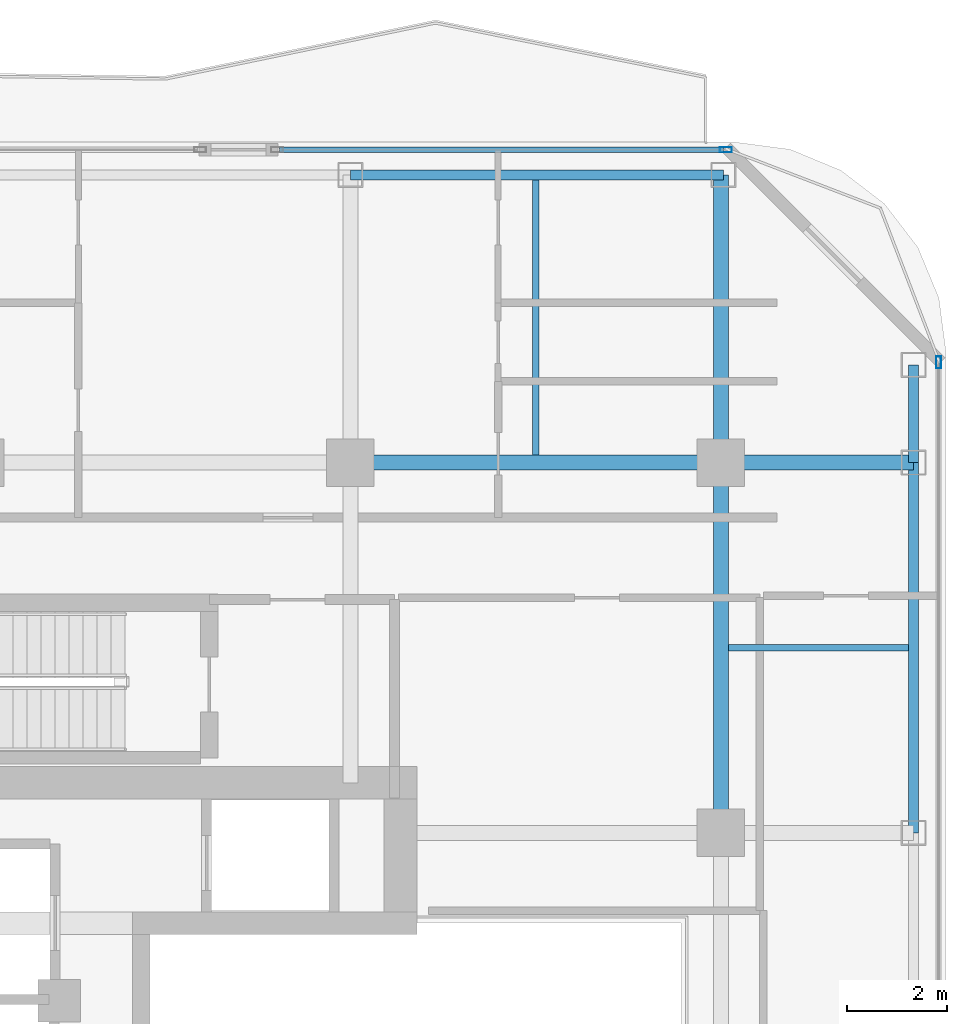
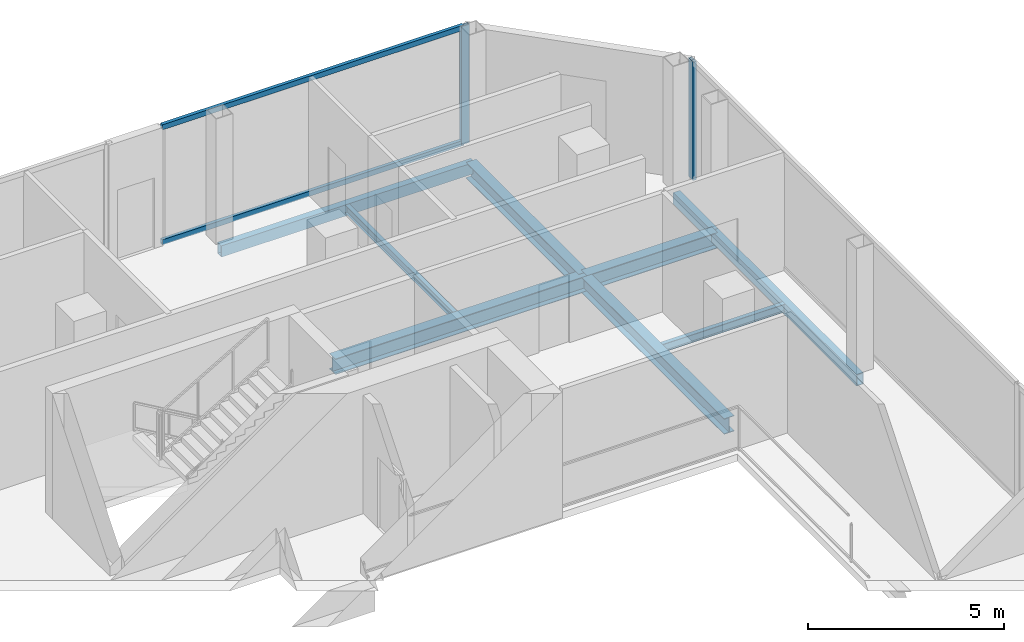
# One storey, part 13 of 22: 9 beams, 4 members, 2 elements without a shape of their own.
"""IFC4 building model written with IfcOpenShell, lengths in metres."""

from ifc_helpers import new_model, si_unit, direction, frame, origin, origin_2d, place, context, subcontext, project, spatial, hollow_rectangle, i_section, extrude, material, layer, layer_set, material_profile, profile_set, type_object, element, aggregate, save


model = new_model("IFC4")

# Units and contexts
model_context = context("Model", 3, precision=1e-05, world=origin(), true_north=direction((0.0, 1.0)))
body_context = subcontext(model_context, "Body", "Model", "MODEL_VIEW")
ifc_project = project(units=[si_unit("LENGTHUNIT", "METRE"), si_unit("AREAUNIT", "SQUARE_METRE"), si_unit("VOLUMEUNIT", "CUBIC_METRE"), si_unit("PLANEANGLEUNIT", "RADIAN"), si_unit("MASSUNIT", "GRAM", prefix="KILO")], contexts=[model_context])

# Site, building, storey
site_placement = place(None, origin())
site = spatial("IfcSite", under=ifc_project, at=site_placement, CompositionType="ELEMENT")
building_placement = place(site_placement, origin())
building = spatial("IfcBuilding", under=site, at=building_placement, Name="Khorvyn Point Tower", CompositionType="ELEMENT")
storey_placement = place(building_placement, frame((0.0, 0.0, 305.39990234375)))
storey = spatial("IfcBuildingStorey", under=building, at=storey_placement, Name="L75", CompositionType="ELEMENT", Elevation=305.39990234375)

# Curtain wall, member
ifc_material_1 = material(Name="Anodised aluminium 6063-T6 and laminated Low-E glass", Category="aluminium")
ifc_layer = layer(ifc_material_1, 0.18994140625)
ifc_layer_set = layer_set([ifc_layer], Name="Stick-Built High-Wind Curtain Wall CW-SYS-04")
curtain_wall_type = type_object("IfcCurtainWallType", Name="Stick-Built High-Wind Curtain Wall CW-SYS-04", PredefinedType="NOTDEFINED", material=ifc_layer_set)
curtain_wall_1_placement = place(storey_placement, origin())
curtain_wall_1 = element("IfcCurtainWall", 1, at=curtain_wall_1_placement, inside=storey, type_object=curtain_wall_type, Name="Curtain Wall", PredefinedType="NOTDEFINED")
ifc_material_2 = material(Name="Anodised aluminium 6063-T6", Category="aluminium")
ifc_material_profile_1 = material_profile(ifc_material_2, hollow_rectangle(XDim=0.10009765625, YDim=0.239990234375, WallThickness=0.0048828125, at=origin_2d()))
ifc_profile_set_1 = profile_set([ifc_material_profile_1], Name="Anodised aluminium 6063-T6 ALU-MUL-100x240")
member_type_1 = type_object("IfcMemberType", Name="Anodised Aluminium 6063-T6 Mullion ALU-MUL-100x240", PredefinedType="MULLION", material=ifc_profile_set_1)
member_1_placement = place(storey_placement, frame((14.89990234375, 21.050048828125, 0.0), z_axis=(0.0, 0.0, 1.0), x_axis=(0.0, 1.0, 0.0)))
member_1 = element("IfcMember", 2, at=member_1_placement, type_object=member_type_1, Name="Transom", PredefinedType="MULLION", context=body_context, shape_type="SweptSolid", body=[
    extrude(hollow_rectangle(XDim=0.10009765625, YDim=0.239990234375, WallThickness=0.0048828125, at=origin_2d()), origin(), (0.0, 0.0, 1.0), 3.68017578125),
])

curtain_wall_2_placement = place(storey_placement, origin())
curtain_wall_2 = element("IfcCurtainWall", 3, at=curtain_wall_2_placement, inside=storey, type_object=curtain_wall_type, Name="Curtain Wall", PredefinedType="NOTDEFINED")
member_2_placement = place(storey_placement, frame((19.14990234375, 16.800048828125, 0.0), z_axis=(0.0, 0.0, 1.0), x_axis=(1.0, 0.0, 0.0)))
member_2 = element("IfcMember", 4, at=member_2_placement, type_object=member_type_1, Name="Transom", PredefinedType="MULLION", context=body_context, shape_type="SweptSolid", body=[
    extrude(hollow_rectangle(XDim=0.10009765625, YDim=0.239990234375, WallThickness=0.0048828125, at=origin_2d()), origin(), (0.0, 0.0, 1.0), 3.68017578125),
])
aggregate(curtain_wall_2, [member_2])

# Member
ifc_material_profile_2 = material_profile(ifc_material_2, hollow_rectangle(XDim=0.10009765625, YDim=0.159912109375, WallThickness=0.00439453125, at=origin_2d()))
ifc_profile_set_2 = profile_set([ifc_material_profile_2], Name="Anodised aluminium 6063-T6 ALU-TRN-100x160")
member_type_2 = type_object("IfcMemberType", Name="Anodised Aluminium 6063-T6 Transom ALU-TRN-100x160", PredefinedType="USERDEFINED", material=ifc_profile_set_2)
member_3_placement = place(storey_placement, frame((5.98388671875, 21.050048828125, 0.050048828125), z_axis=(1.0, 0.0, 0.0), x_axis=(0.0, 1.0, 0.0)))
member_3 = element("IfcMember", 5, at=member_3_placement, type_object=member_type_2, Name="Transom", ObjectType="TRANSOM", PredefinedType="USERDEFINED", context=body_context, shape_type="SweptSolid", body=[
    extrude(hollow_rectangle(XDim=0.10009765625, YDim=0.159912109375, WallThickness=0.00439453125, at=origin_2d()), origin(), (0.0, 0.0, 1.0), 8.8662109375),
])

member_4_placement = place(storey_placement, frame((5.98388671875, 21.050048828125, 3.630126953125), z_axis=(1.0, 0.0, 0.0), x_axis=(0.0, 1.0, 0.0)))
member_4 = element("IfcMember", 6, at=member_4_placement, type_object=member_type_2, Name="Transom", ObjectType="TRANSOM", PredefinedType="USERDEFINED", context=body_context, shape_type="SweptSolid", body=[
    extrude(hollow_rectangle(XDim=0.10009765625, YDim=0.159912109375, WallThickness=0.00439453125, at=origin_2d()), origin(), (0.0, 0.0, 1.0), 8.8662109375),
])

aggregate(curtain_wall_1, [member_1, member_3, member_4])

# Beams
ifc_material_3 = material(Name="Steel S355", Category="steel")
ifc_material_profile_3 = material_profile(ifc_material_3, i_section(OverallWidth=0.125, OverallDepth=0.25, WebThickness=0.006103515625, FlangeThickness=0.009033203125, at=origin_2d()))
ifc_profile_set_3 = profile_set([ifc_material_profile_3], Name="Steel S355 H250x125x6x9")
beam_type_1 = type_object("IfcBeamType", Name="Steel S355 Joist H250x125x6x9", PredefinedType="JOIST", material=ifc_profile_set_3)
beam_1_placement = place(storey_placement, frame((14.949951171875, 11.10009765625, -0.344970703125), z_axis=(1.0, 0.0, 0.0), x_axis=(0.0, 1.0, 0.0)))
element("IfcBeam", 7, at=beam_1_placement, inside=storey, type_object=beam_type_1, Name="Beam", PredefinedType="JOIST", context=body_context, shape_type="SweptSolid", body=[
    extrude(i_section(OverallWidth=0.125, OverallDepth=0.25, WebThickness=0.006103515625, FlangeThickness=0.009033203125, at=origin_2d()), origin(), (0.0, 0.0, 1.0), 3.60009765625),
])
beam_2_placement = place(storey_placement, frame((11.10009765625, 14.949951171875, -0.344970703125), z_axis=(0.0, 1.0, 0.0), x_axis=(-1.0, 0.0, 0.0)))
element("IfcBeam", 8, at=beam_2_placement, inside=storey, type_object=beam_type_1, Name="Beam", PredefinedType="JOIST", context=body_context, shape_type="SweptSolid", body=[
    extrude(i_section(OverallWidth=0.125, OverallDepth=0.25, WebThickness=0.006103515625, FlangeThickness=0.009033203125, at=origin_2d()), origin(), (0.0, 0.0, 1.0), 5.5),
])
ifc_material_profile_4 = material_profile(ifc_material_3, i_section(OverallWidth=0.300048828125, OverallDepth=0.488037109375, WebThickness=0.010986328125, FlangeThickness=0.01806640625, at=origin_2d()))
ifc_profile_set_4 = profile_set([ifc_material_profile_4], Name="Steel S355 H488x300x11x18")
beam_type_2 = type_object("IfcBeamType", Name="Steel S355 Spandrel H488x300x11x18", PredefinedType="SPANDREL", material=ifc_profile_set_4)
beam_3_placement = place(storey_placement, frame((7.39990234375, 14.800048828125, -0.4638671875), z_axis=(1.0, 0.0, 0.0), x_axis=(0.0, 1.0, 0.0)))
element("IfcBeam", 9, at=beam_3_placement, inside=storey, type_object=beam_type_2, Name="Beam", PredefinedType="SPANDREL", context=body_context, shape_type="SweptSolid", body=[
    extrude(i_section(OverallWidth=0.300048828125, OverallDepth=0.488037109375, WebThickness=0.010986328125, FlangeThickness=0.01806640625, at=origin_2d()), origin(), (0.0, 0.0, 1.0), 7.400146484375),
])
beam_4_placement = place(storey_placement, frame((14.800048828125, 14.800048828125, -0.4638671875), z_axis=(1.0, 0.0, 0.0), x_axis=(0.0, 1.0, 0.0)))
element("IfcBeam", 10, at=beam_4_placement, inside=storey, type_object=beam_type_2, Name="Beam", PredefinedType="SPANDREL", context=body_context, shape_type="SweptSolid", body=[
    extrude(i_section(OverallWidth=0.300048828125, OverallDepth=0.488037109375, WebThickness=0.010986328125, FlangeThickness=0.01806640625, at=origin_2d()), origin(), (0.0, 0.0, 1.0), 3.849853515625),
])
beam_5_placement = place(storey_placement, frame((14.800048828125, 7.39990234375, -0.4638671875), z_axis=(0.0, 1.0, 0.0), x_axis=(-1.0, 0.0, 0.0)))
element("IfcBeam", 11, at=beam_5_placement, inside=storey, type_object=beam_type_2, Name="Beam", PredefinedType="SPANDREL", context=body_context, shape_type="SweptSolid", body=[
    extrude(i_section(OverallWidth=0.300048828125, OverallDepth=0.488037109375, WebThickness=0.010986328125, FlangeThickness=0.01806640625, at=origin_2d()), origin(), (0.0, 0.0, 1.0), 7.400146484375),
])
beam_6_placement = place(storey_placement, frame((14.800048828125, 14.800048828125, -0.4638671875), z_axis=(0.0, 1.0, 0.0), x_axis=(-1.0, 0.0, 0.0)))
element("IfcBeam", 12, at=beam_6_placement, inside=storey, type_object=beam_type_2, Name="Beam", PredefinedType="SPANDREL", context=body_context, shape_type="SweptSolid", body=[
    extrude(i_section(OverallWidth=0.300048828125, OverallDepth=0.488037109375, WebThickness=0.010986328125, FlangeThickness=0.01806640625, at=origin_2d()), origin(), (0.0, 0.0, 1.0), 5.75),
])
ifc_material_profile_5 = material_profile(ifc_material_3, hollow_rectangle(XDim=0.199951171875, YDim=0.35009765625, WallThickness=0.013916015625, at=origin_2d()))
ifc_profile_set_5 = profile_set([ifc_material_profile_5], Name="Steel S355 RHS350x200x14")
beam_type_3 = type_object("IfcBeamType", Name="Steel S355 Spandrel RHS350x200x14", PredefinedType="SPANDREL", material=ifc_profile_set_5)
beam_7_placement = place(storey_placement, frame((7.39990234375, 20.550048828125, -0.39501953125), z_axis=(1.0, 0.0, 0.0), x_axis=(0.0, 1.0, 0.0)))
element("IfcBeam", 13, at=beam_7_placement, inside=storey, type_object=beam_type_3, Name="Beam", PredefinedType="SPANDREL", context=body_context, shape_type="SweptSolid", body=[
    extrude(hollow_rectangle(XDim=0.199951171875, YDim=0.35009765625, WallThickness=0.013916015625, at=origin_2d()), origin(), (0.0, 0.0, 1.0), 7.4501953125),
])
beam_8_placement = place(storey_placement, frame((18.64990234375, 7.39990234375, -0.39501953125), z_axis=(0.0, 1.0, 0.0), x_axis=(-1.0, 0.0, 0.0)))
element("IfcBeam", 14, at=beam_8_placement, inside=storey, type_object=beam_type_3, Name="Beam", PredefinedType="SPANDREL", context=body_context, shape_type="SweptSolid", body=[
    extrude(hollow_rectangle(XDim=0.199951171875, YDim=0.35009765625, WallThickness=0.013916015625, at=origin_2d()), origin(), (0.0, 0.0, 1.0), 7.400146484375),
])
beam_9_placement = place(storey_placement, frame((18.64990234375, 14.800048828125, -0.39501953125), z_axis=(0.0, 1.0, 0.0), x_axis=(-1.0, 0.0, 0.0)))
element("IfcBeam", 15, at=beam_9_placement, inside=storey, type_object=beam_type_3, Name="Beam", PredefinedType="SPANDREL", context=body_context, shape_type="SweptSolid", body=[
    extrude(hollow_rectangle(XDim=0.199951171875, YDim=0.35009765625, WallThickness=0.013916015625, at=origin_2d()), origin(), (0.0, 0.0, 1.0), 1.949951171875),
])

save(model, "model.ifc")
